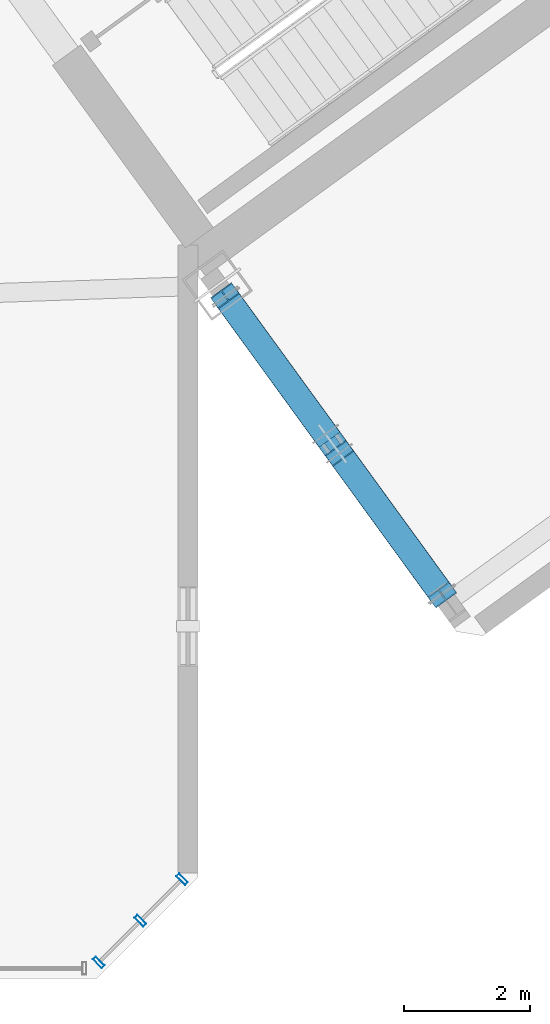
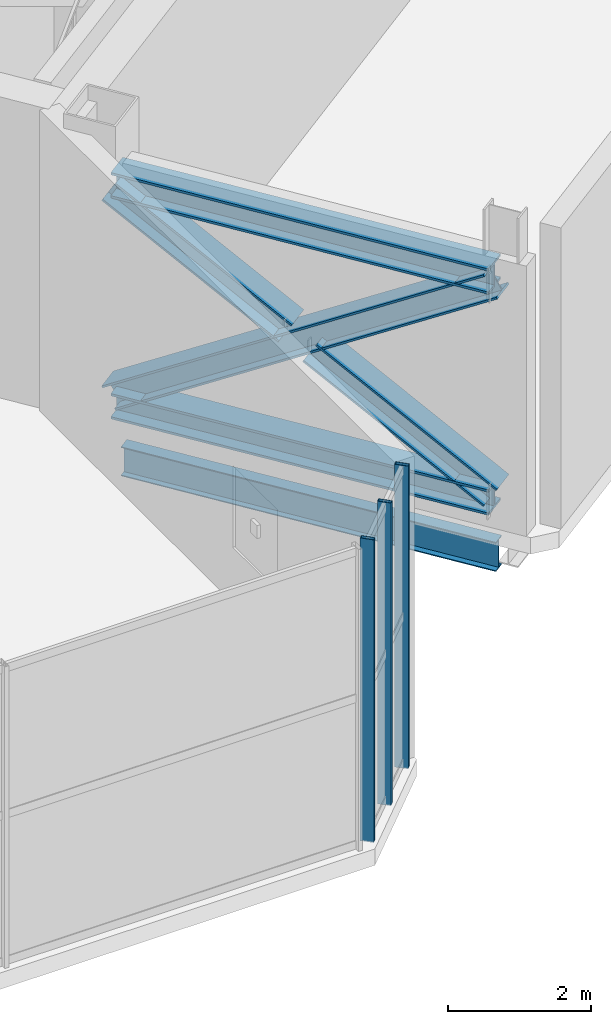
# One storey, part 10 of 30: 8 members, 1 beam, 1 element without a shape of its own.
"""IFC4 building model written with IfcOpenShell, lengths in metres."""

from ifc_helpers import new_model, si_unit, direction, frame, origin, origin_2d, place, context, subcontext, project, spatial, hollow_rectangle, i_section, extrude, source, transform, mapped, material, material_profile, profile_set, type_object, element, aggregate, save


model = new_model("IFC4")

# Units and contexts
model_context = context("Model", 3, precision=1e-05, world=origin(), true_north=direction((0.0, 1.0)))
body_context = subcontext(model_context, "Body", "Model", "MODEL_VIEW")
ifc_project = project(units=[si_unit("LENGTHUNIT", "METRE"), si_unit("AREAUNIT", "SQUARE_METRE"), si_unit("VOLUMEUNIT", "CUBIC_METRE"), si_unit("PLANEANGLEUNIT", "RADIAN"), si_unit("MASSUNIT", "GRAM", prefix="KILO")], contexts=[model_context])

# Site, building, storey
site_placement = place(None, origin())
site = spatial("IfcSite", under=ifc_project, at=site_placement, CompositionType="ELEMENT")
building_placement = place(site_placement, origin())
building = spatial("IfcBuilding", under=site, at=building_placement, Name="Tlacorven Tower", CompositionType="ELEMENT")
storey_placement = place(building_placement, frame((0.0, 0.0, 169.5)))
storey = spatial("IfcBuildingStorey", under=building, at=storey_placement, Name="L43", CompositionType="ELEMENT", Elevation=169.5)

# Members
ifc_material_1 = material(Name="Steel S460M", Category="steel")
ifc_material_profile_1 = material_profile(ifc_material_1, i_section(OverallWidth=0.412109375, OverallDepth=0.43505859375, WebThickness=0.02490234375, FlangeThickness=0.0400390625, at=origin_2d()), Name="HD 400X463")
ifc_profile_set_1 = profile_set([ifc_material_profile_1], Name="Steel S460M")
member_type_1 = type_object("IfcMemberType", Name="MB-OUT-CHD", PredefinedType="CHORD", material=ifc_profile_set_1)
shared_shape_1 = source(origin(), body_context, "Body", "SweptSolid", [
    extrude(i_section(OverallWidth=0.412109375, OverallDepth=0.43505859375, WebThickness=0.02490234375, FlangeThickness=0.0400390625, at=origin_2d()), origin(), (0.0, 0.0, 1.0), 5.795166015625),
])
for number, where, z_axis, x_axis, name in (
    (1, (52.846435546875, 12.579345703125, 0.449951171875), (0.587770839482, -0.809027465698, 0.0), (0.809027465698, 0.587770839482, 0.0), "L43 Outrigger Truss Chord E1-B"),
    (2, (52.846435546875, 12.579345703125, 4.22998046875), (0.587770839482, -0.809027465698, 0.0), (0.809027465698, 0.587770839482, 0.0), "L43 Outrigger Truss Chord E1-T"),
):
    element("IfcMember", number, at=place(storey_placement, frame(where, z_axis=z_axis, x_axis=x_axis)), inside=storey, type_object=member_type_1, Name=name, PredefinedType="CHORD", context=body_context, shape_type="MappedRepresentation", body=[
        mapped(shared_shape_1, transform((0.0, 0.0, 0.0), scale=1.0)),
    ])
ifc_material_profile_2 = material_profile(ifc_material_1, i_section(OverallWidth=0.406005859375, OverallDepth=0.416015625, WebThickness=0.02099609375, FlangeThickness=0.032958984375, at=origin_2d()), Name="HD 400X382")
ifc_profile_set_2 = profile_set([ifc_material_profile_2], Name="Steel S460M")
member_type_2 = type_object("IfcMemberType", Name="MB-OUT-DIA", PredefinedType="BRACE", material=ifc_profile_set_2)
shared_shape_2 = source(origin(), body_context, "Body", "SweptSolid", [
    extrude(i_section(OverallWidth=0.406005859375, OverallDepth=0.416015625, WebThickness=0.02099609375, FlangeThickness=0.032958984375, at=origin_2d()), origin(), (0.0, 0.0, 1.0), 3.170654296875),
])
member_1_placement = place(storey_placement, frame((52.825927734375, 12.607666015625, 4.10498046875), z_axis=(0.501888590835, -0.690770565876, -0.520522687027), x_axis=(0.809008975915, 0.587796288598, 0.0)))
element("IfcMember", 3, at=member_1_placement, inside=storey, type_object=member_type_2, Name="L43 Outrigger Truss Split Diagonal E1-2A", PredefinedType="BRACE", context=body_context, shape_type="MappedRepresentation", body=[
    mapped(shared_shape_2, transform((0.0, 0.0, 0.0), scale=1.0)),
])
shared_shape_3 = source(origin(), body_context, "Body", "SweptSolid", [
    extrude(i_section(OverallWidth=0.406005859375, OverallDepth=0.416015625, WebThickness=0.02099609375, FlangeThickness=0.032958984375, at=origin_2d()), origin(), (0.0, 0.0, 1.0), 3.24560546875),
])
member_2_placement = place(storey_placement, frame((54.637939453125, 10.113525390625, 2.2255859375), z_axis=(0.501862263089, -0.690737584225, -0.520591834958), x_axis=(0.809010292828, 0.58779447607, 0.0)))
element("IfcMember", 4, at=member_2_placement, inside=storey, type_object=member_type_2, Name="L43 Outrigger Truss Split Diagonal E1-2B", PredefinedType="BRACE", context=body_context, shape_type="MappedRepresentation", body=[
    mapped(shared_shape_3, transform((0.0, 0.0, 0.0), scale=1.0)),
])

# Beam
ifc_material_2 = material(Name="Steel S355J2", Category="steel")
ifc_material_profile_3 = material_profile(ifc_material_2, i_section(OverallWidth=0.199951171875, OverallDepth=0.5, WebThickness=0.01025390625, FlangeThickness=0.01611328125, at=origin_2d()), Name="IPE 500")
ifc_profile_set_3 = profile_set([ifc_material_profile_3], Name="Steel S355J2")
beam_type = type_object("IfcBeamType", Name="BM-TWR-500", PredefinedType="BEAM", material=ifc_profile_set_3)
shared_shape_4 = source(origin(), body_context, "Body", "SweptSolid", [
    extrude(i_section(OverallWidth=0.199951171875, OverallDepth=0.5, WebThickness=0.01025390625, FlangeThickness=0.01611328125, at=origin_2d()), origin(), (0.0, 0.0, 1.0), 5.75),
])
beam_placement = place(storey_placement, frame((56.291015625, 7.83837890625, -0.530029296875), z_axis=(-0.587797998499, 0.80900773356, 0.0), x_axis=(-0.80900773356, -0.587797998499, 0.0)))
element("IfcBeam", 5, at=beam_placement, inside=storey, type_object=beam_type, Name="L43 beam BM-L43-ET1-1", PredefinedType="BEAM", context=body_context, shape_type="MappedRepresentation", body=[
    mapped(shared_shape_4, transform((0.0, 0.0, 0.0), scale=1.0)),
])

# Member
shared_shape_5 = source(origin(), body_context, "Body", "SweptSolid", [
    extrude(i_section(OverallWidth=0.406005859375, OverallDepth=0.416015625, WebThickness=0.02099609375, FlangeThickness=0.032958984375, at=origin_2d()), origin(), (0.0, 0.0, 1.0), 6.856201171875),
])
member_3_placement = place(storey_placement, frame((52.825927734375, 12.607666015625, 0.574951171875), z_axis=(0.50186236025, -0.690764007839, 0.520556679757), x_axis=(0.809020930936, 0.587779834043, 0.0)))
element("IfcMember", 6, at=member_3_placement, inside=storey, type_object=member_type_2, Name="L43 Outrigger Truss Diagonal E1-1", PredefinedType="BRACE", context=body_context, shape_type="MappedRepresentation", body=[
    mapped(shared_shape_5, transform((0.0, 0.0, 0.0), scale=1.0)),
])

# Curtain wall, members
ifc_material_3 = material(Name="Dark solar low-E double glazing in aluminium frame", Category="aluminium")
curtain_wall_type = type_object("IfcCurtainWallType", Name="CW-TWR-MID", PredefinedType="USERDEFINED", material=ifc_material_3)
curtain_wall_placement = place(storey_placement, origin())
curtain_wall = element("IfcCurtainWall", 7, at=curtain_wall_placement, inside=storey, type_object=curtain_wall_type, Name="L43 CW-TWR-MID Curtain Wall 196", ObjectType="UNITISED CURTAIN WALL", PredefinedType="USERDEFINED")
ifc_material_4 = material(Name="Aluminium 6063-T6 anodised", Category="aluminium")
ifc_material_profile_4 = material_profile(ifc_material_4, hollow_rectangle(XDim=0.06494140625, YDim=0.199951171875, WallThickness=0.00439453125, at=origin_2d()), Name="ALU MULLION 65X200")
ifc_profile_set_4 = profile_set([ifc_material_profile_4], Name="Aluminium 6063-T6 anodised")
member_type_3 = type_object("IfcMemberType", Name="CWM-02", PredefinedType="MULLION", material=ifc_profile_set_4)
shared_shape_6 = source(origin(), body_context, "Body", "SweptSolid", [
    extrude(hollow_rectangle(XDim=0.06494140625, YDim=0.199951171875, WallThickness=0.00439453125, at=origin_2d()), origin(), (0.0, 0.0, 1.0), 5.179931640625),
])
member_4_placement = place(storey_placement, frame((52.146240234375, 3.37255859375, -0.02001953125), z_axis=(0.0, 0.0, 1.0), x_axis=(-0.707106781187, -0.707106781187, 0.0)))
member_4 = element("IfcMember", 8, at=member_4_placement, type_object=member_type_3, Name="CW-L43-196 Mullion 1", PredefinedType="MULLION", context=body_context, shape_type="MappedRepresentation", body=[
    mapped(shared_shape_6, transform((0.0, 0.0, 0.0), scale=1.0)),
])
member_5_placement = place(storey_placement, frame((51.48681640625, 2.713134765625, -0.02001953125), z_axis=(0.0, 0.0, 1.0), x_axis=(-0.707106781187, -0.707106781187, 0.0)))
member_5 = element("IfcMember", 9, at=member_5_placement, type_object=member_type_3, Name="CW-L43-196 Mullion 2", PredefinedType="MULLION", context=body_context, shape_type="MappedRepresentation", body=[
    mapped(shared_shape_6, transform((0.0, 0.0, 0.0), scale=1.0)),
])
member_6_placement = place(storey_placement, frame((50.827392578125, 2.0537109375, -0.02001953125), z_axis=(0.0, 0.0, 1.0), x_axis=(-0.707106781187, -0.707106781187, 0.0)))
member_6 = element("IfcMember", 10, at=member_6_placement, type_object=member_type_3, Name="CW-L43-196 Mullion 3", PredefinedType="MULLION", context=body_context, shape_type="MappedRepresentation", body=[
    mapped(shared_shape_6, transform((0.0, 0.0, 0.0), scale=1.0)),
])
aggregate(curtain_wall, [member_4, member_5, member_6])

save(model, "model.ifc")
